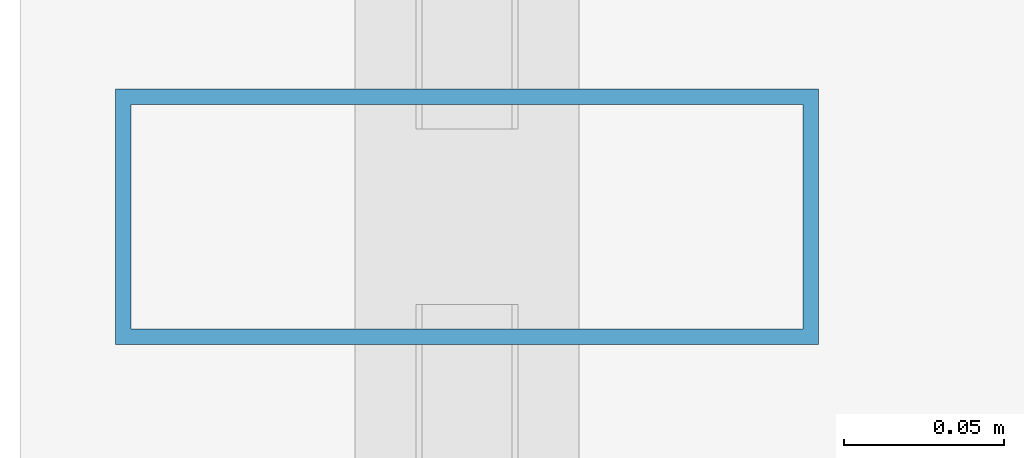
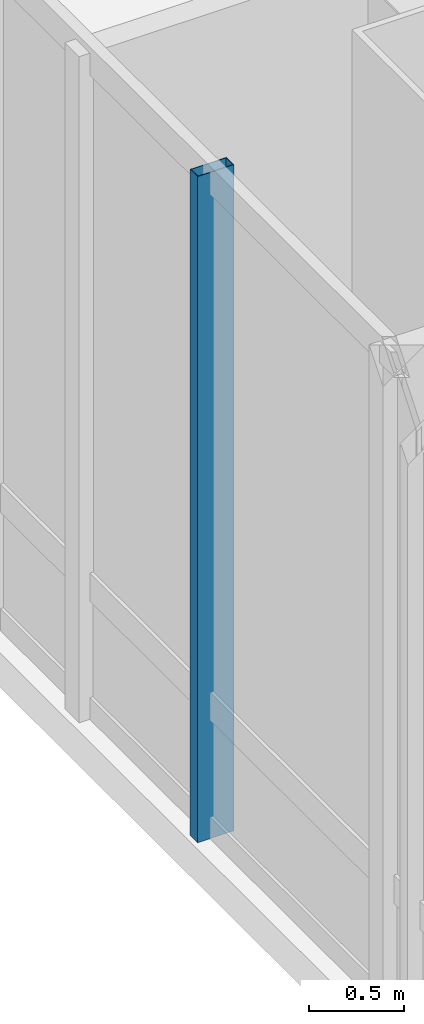
# One storey, part 10 of 29: 1 member, 1 element without a shape of its own.
"""IFC4 building model written with IfcOpenShell, lengths in metres."""

from ifc_helpers import new_model, si_unit, direction, frame, origin, origin_2d, place, context, subcontext, project, spatial, hollow_rectangle, extrude, material, layer, layer_set, material_profile, profile_set, type_object, element, aggregate, save


model = new_model("IFC4")

# Units and contexts
model_context = context("Model", 3, precision=1e-05, world=origin(), true_north=direction((0.0, 1.0)))
body_context = subcontext(model_context, "Body", "Model", "MODEL_VIEW")
ifc_project = project(units=[si_unit("LENGTHUNIT", "METRE"), si_unit("AREAUNIT", "SQUARE_METRE"), si_unit("VOLUMEUNIT", "CUBIC_METRE"), si_unit("PLANEANGLEUNIT", "RADIAN"), si_unit("MASSUNIT", "GRAM", prefix="KILO")], contexts=[model_context])

# Site, building, storey
site_placement = place(None, origin())
site = spatial("IfcSite", under=ifc_project, at=site_placement, CompositionType="ELEMENT")
building_placement = place(site_placement, origin())
building = spatial("IfcBuilding", under=site, at=building_placement, Name="Hatsunagi Terrace Concourse", CompositionType="ELEMENT")
storey_placement = place(building_placement, frame((0.0, 0.0, 32.10009765625)))
storey = spatial("IfcBuildingStorey", under=building, at=storey_placement, Name="L07", CompositionType="ELEMENT", Elevation=32.10009765625)

# Curtain wall, member
ifc_material_1 = material(Name="Anodised Aluminium Alloy 6063-T5", Category="aluminium")
ifc_layer = layer(ifc_material_1, 0.199951171875)
ifc_layer_set = layer_set([ifc_layer], Name="SkyLobbyAtrium_CW05")
curtain_wall_type = type_object("IfcCurtainWallType", Name="SkyLobbyAtrium_CW05", PredefinedType="NOTDEFINED", material=ifc_layer_set)
curtain_wall_placement = place(storey_placement, origin())
curtain_wall = element("IfcCurtainWall", 1, at=curtain_wall_placement, inside=storey, type_object=curtain_wall_type, Name="Unitised Curtain Wall CW-05 CW-L07-09", PredefinedType="NOTDEFINED")
ifc_material_2 = material(Name="Anodised Aluminium Alloy 6063-T5", Category="aluminium")
ifc_material_profile = material_profile(ifc_material_2, hollow_rectangle(XDim=0.080078125, YDim=0.219970703125, WallThickness=0.0048828125, at=origin_2d()), Name="ALU-MUL-220x80x5")
ifc_profile_set = profile_set([ifc_material_profile], Name="Anodised Aluminium Alloy 6063-T5")
member_type = type_object("IfcMemberType", Name="CurtainWallMullion_Heavy_220x80", PredefinedType="MULLION", material=ifc_profile_set)
member_placement = place(storey_placement, frame((0.139892578125, 36.89990234375, 0.0), z_axis=(0.0, 0.0, 1.0), x_axis=(0.0, 1.0, 0.0)))
member = element("IfcMember", 2, at=member_placement, type_object=member_type, Name="Curtain Wall Mullion MUL-01", PredefinedType="MULLION", context=body_context, shape_type="SweptSolid", body=[
    extrude(hollow_rectangle(XDim=0.080078125, YDim=0.219970703125, WallThickness=0.0048828125, at=origin_2d()), origin(), (0.0, 0.0, 1.0), 4.27978515625),
])
aggregate(curtain_wall, [member])

save(model, "model.ifc")
